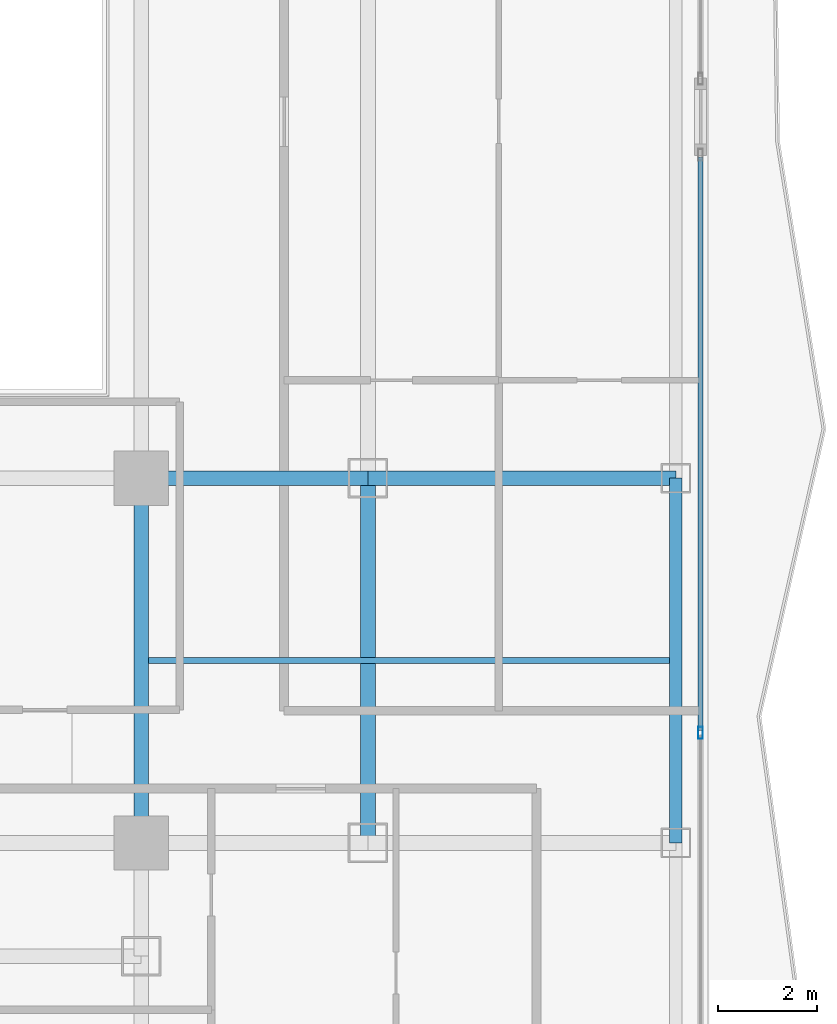
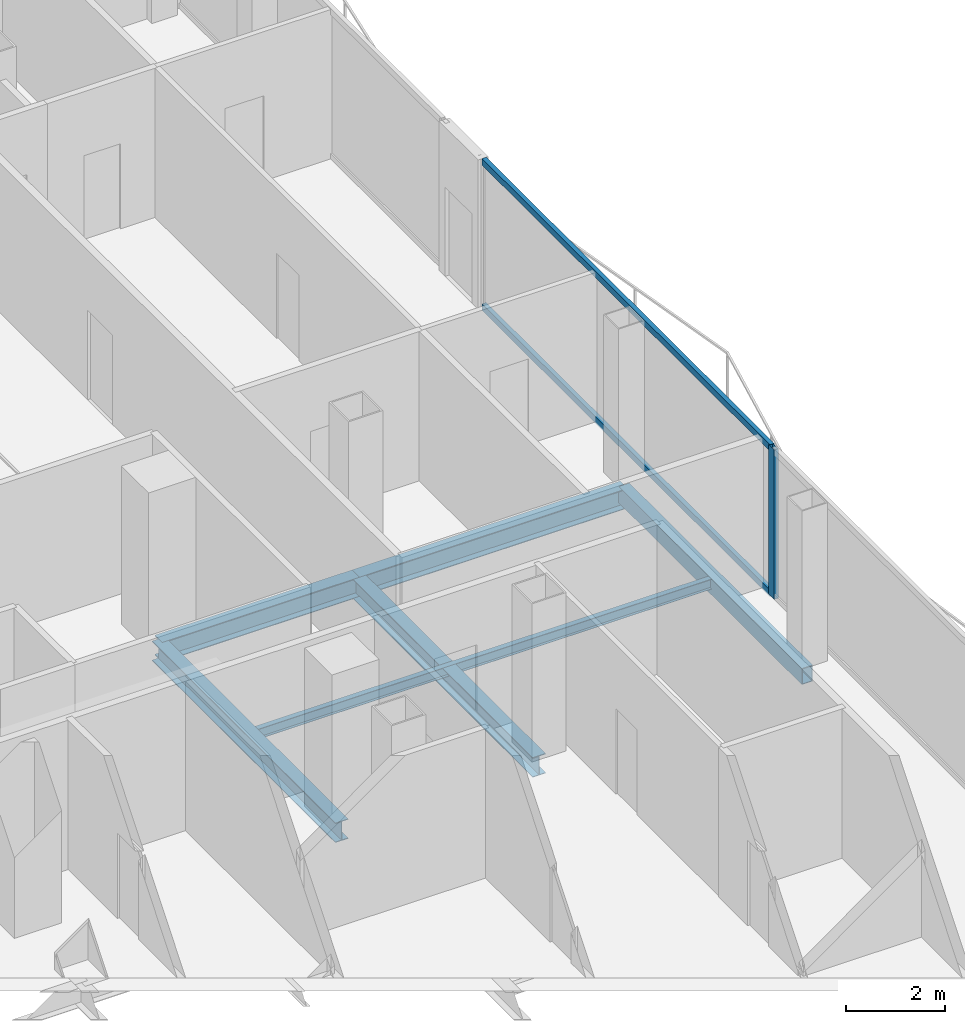
# One storey, part 11 of 26: 6 beams, 3 members, 1 element without a shape of its own.
"""IFC4 building model written with IfcOpenShell, lengths in metres."""

from ifc_helpers import new_model, si_unit, direction, frame, origin, origin_2d, place, context, subcontext, project, spatial, hollow_rectangle, i_section, extrude, material, layer, layer_set, material_profile, profile_set, type_object, element, aggregate, save


model = new_model("IFC4")

# Units and contexts
model_context = context("Model", 3, precision=1e-05, world=origin(), true_north=direction((0.0, 1.0)))
body_context = subcontext(model_context, "Body", "Model", "MODEL_VIEW")
ifc_project = project(units=[si_unit("LENGTHUNIT", "METRE"), si_unit("AREAUNIT", "SQUARE_METRE"), si_unit("VOLUMEUNIT", "CUBIC_METRE"), si_unit("PLANEANGLEUNIT", "RADIAN"), si_unit("MASSUNIT", "GRAM", prefix="KILO")], contexts=[model_context])

# Site, building, storey
site_placement = place(None, origin())
site = spatial("IfcSite", under=ifc_project, at=site_placement, CompositionType="ELEMENT")
building_placement = place(site_placement, origin())
building = spatial("IfcBuilding", under=site, at=building_placement, Name="Khorvyn Point Tower", CompositionType="ELEMENT")
storey_placement = place(building_placement, frame((0.0, 0.0, 223.5)))
storey = spatial("IfcBuildingStorey", under=building, at=storey_placement, Name="L55", CompositionType="ELEMENT", Elevation=223.5)

# Curtain wall, members
ifc_material_1 = material(Name="Anodised aluminium 6063-T6 and laminated Low-E glass", Category="aluminium")
ifc_layer = layer(ifc_material_1, 0.18994140625)
ifc_layer_set = layer_set([ifc_layer], Name="Stick-Built Acoustic Curtain Wall CW-SYS-03")
curtain_wall_type = type_object("IfcCurtainWallType", Name="Stick-Built Acoustic Curtain Wall CW-SYS-03", PredefinedType="NOTDEFINED", material=ifc_layer_set)
curtain_wall_placement = place(storey_placement, origin())
curtain_wall = element("IfcCurtainWall", 1, at=curtain_wall_placement, inside=storey, type_object=curtain_wall_type, Name="Curtain Wall", PredefinedType="NOTDEFINED")
ifc_material_2 = material(Name="Anodised aluminium 6063-T6", Category="aluminium")
ifc_material_profile_1 = material_profile(ifc_material_2, hollow_rectangle(XDim=0.10009765625, YDim=0.239990234375, WallThickness=0.0048828125, at=origin_2d()))
ifc_profile_set_1 = profile_set([ifc_material_profile_1], Name="Anodised aluminium 6063-T6 ALU-MUL-100x240")
member_type_1 = type_object("IfcMemberType", Name="Anodised Aluminium 6063-T6 Mullion ALU-MUL-100x240", PredefinedType="MULLION", material=ifc_profile_set_1)
member_1_placement = place(storey_placement, frame((26.14990234375, -12.5673828125, 0.0), z_axis=(0.0, 0.0, 1.0), x_axis=(1.0, 0.0, 0.0)))
member_1 = element("IfcMember", 2, at=member_1_placement, type_object=member_type_1, Name="Transom", PredefinedType="MULLION", context=body_context, shape_type="SweptSolid", body=[
    extrude(hollow_rectangle(XDim=0.10009765625, YDim=0.239990234375, WallThickness=0.0048828125, at=origin_2d()), origin(), (0.0, 0.0, 1.0), 3.679931640625),
])
ifc_material_profile_2 = material_profile(ifc_material_2, hollow_rectangle(XDim=0.10009765625, YDim=0.159912109375, WallThickness=0.00439453125, at=origin_2d()))
ifc_profile_set_2 = profile_set([ifc_material_profile_2], Name="Anodised aluminium 6063-T6 ALU-TRN-100x160")
member_type_2 = type_object("IfcMemberType", Name="Anodised Aluminium 6063-T6 Transom ALU-TRN-100x160", PredefinedType="USERDEFINED", material=ifc_profile_set_2)
member_2_placement = place(storey_placement, frame((26.14990234375, -0.885009765625, 0.050048828125), z_axis=(0.0, -1.0, 0.0), x_axis=(1.0, 0.0, 0.0)))
member_2 = element("IfcMember", 3, at=member_2_placement, type_object=member_type_2, Name="Transom", ObjectType="TRANSOM", PredefinedType="USERDEFINED", context=body_context, shape_type="SweptSolid", body=[
    extrude(hollow_rectangle(XDim=0.10009765625, YDim=0.159912109375, WallThickness=0.00439453125, at=origin_2d()), origin(), (0.0, 0.0, 1.0), 11.632568359375),
])
member_3_placement = place(storey_placement, frame((26.14990234375, -0.885009765625, 3.6298828125), z_axis=(0.0, -1.0, 0.0), x_axis=(1.0, 0.0, 0.0)))
member_3 = element("IfcMember", 4, at=member_3_placement, type_object=member_type_2, Name="Transom", ObjectType="TRANSOM", PredefinedType="USERDEFINED", context=body_context, shape_type="SweptSolid", body=[
    extrude(hollow_rectangle(XDim=0.10009765625, YDim=0.159912109375, WallThickness=0.00439453125, at=origin_2d()), origin(), (0.0, 0.0, 1.0), 11.632568359375),
])
aggregate(curtain_wall, [member_1, member_2, member_3])

# Beams
ifc_material_3 = material(Name="Steel S355", Category="steel")
ifc_material_profile_3 = material_profile(ifc_material_3, i_section(OverallWidth=0.125, OverallDepth=0.25, WebThickness=0.006103515625, FlangeThickness=0.009033203125, at=origin_2d()))
ifc_profile_set_3 = profile_set([ifc_material_profile_3], Name="Steel S355 H250x125x6x9")
beam_type_1 = type_object("IfcBeamType", Name="Steel S355 Joist H250x125x6x9", PredefinedType="JOIST", material=ifc_profile_set_3)
beam_1_placement = place(storey_placement, frame((14.949951171875, -11.10009765625, -0.344970703125), z_axis=(1.0, 0.0, 0.0), x_axis=(0.0, 1.0, 0.0)))
element("IfcBeam", 5, at=beam_1_placement, inside=storey, type_object=beam_type_1, Name="Beam", PredefinedType="JOIST", context=body_context, shape_type="SweptSolid", body=[
    extrude(i_section(OverallWidth=0.125, OverallDepth=0.25, WebThickness=0.006103515625, FlangeThickness=0.009033203125, at=origin_2d()), origin(), (0.0, 0.0, 1.0), 10.574951171875),
])
ifc_material_profile_4 = material_profile(ifc_material_3, i_section(OverallWidth=0.300048828125, OverallDepth=0.488037109375, WebThickness=0.010986328125, FlangeThickness=0.01806640625, at=origin_2d()))
ifc_profile_set_4 = profile_set([ifc_material_profile_4], Name="Steel S355 H488x300x11x18")
beam_type_2 = type_object("IfcBeamType", Name="Steel S355 Spandrel H488x300x11x18", PredefinedType="SPANDREL", material=ifc_profile_set_4)
beam_2_placement = place(storey_placement, frame((14.800048828125, -7.39990234375, -0.464111328125), z_axis=(1.0, 0.0, 0.0), x_axis=(0.0, 1.0, 0.0)))
element("IfcBeam", 6, at=beam_2_placement, inside=storey, type_object=beam_type_2, Name="Beam", PredefinedType="SPANDREL", context=body_context, shape_type="SweptSolid", body=[
    extrude(i_section(OverallWidth=0.300048828125, OverallDepth=0.488037109375, WebThickness=0.010986328125, FlangeThickness=0.01806640625, at=origin_2d()), origin(), (0.0, 0.0, 1.0), 4.599853515625),
])
beam_3_placement = place(storey_placement, frame((19.39990234375, -7.39990234375, -0.464111328125), z_axis=(1.0, 0.0, 0.0), x_axis=(0.0, 1.0, 0.0)))
element("IfcBeam", 7, at=beam_3_placement, inside=storey, type_object=beam_type_2, Name="Beam", PredefinedType="SPANDREL", context=body_context, shape_type="SweptSolid", body=[
    extrude(i_section(OverallWidth=0.300048828125, OverallDepth=0.488037109375, WebThickness=0.010986328125, FlangeThickness=0.01806640625, at=origin_2d()), origin(), (0.0, 0.0, 1.0), 6.25),
])
for number, where, z_axis, x_axis, name in (
    (8, (14.800048828125, -14.800048828125, -0.464111328125), (0.0, 1.0, 0.0), (-1.0, 0.0, 0.0), "Beam"),
    (9, (19.39990234375, -14.800048828125, -0.464111328125), (0.0, 1.0, 0.0), (-1.0, 0.0, 0.0), "Beam"),
):
    element("IfcBeam", number, at=place(storey_placement, frame(where, z_axis=z_axis, x_axis=x_axis)), inside=storey, type_object=beam_type_2, Name=name, PredefinedType="SPANDREL", context=body_context, shape_type="SweptSolid", body=[
        extrude(i_section(OverallWidth=0.300048828125, OverallDepth=0.488037109375, WebThickness=0.010986328125, FlangeThickness=0.01806640625, at=origin_2d()), origin(), (0.0, 0.0, 1.0), 7.400146484375),
    ])
ifc_material_profile_5 = material_profile(ifc_material_3, hollow_rectangle(XDim=0.25, YDim=0.39990234375, WallThickness=0.01611328125, at=origin_2d()))
ifc_profile_set_5 = profile_set([ifc_material_profile_5], Name="Steel S355 RHS400x250x16")
beam_type_3 = type_object("IfcBeamType", Name="Steel S355 Spandrel RHS400x250x16", PredefinedType="SPANDREL", material=ifc_profile_set_5)
beam_4_placement = place(storey_placement, frame((25.64990234375, -14.800048828125, -0.419921875), z_axis=(0.0, 1.0, 0.0), x_axis=(-1.0, 0.0, 0.0)))
element("IfcBeam", 10, at=beam_4_placement, inside=storey, type_object=beam_type_3, Name="Beam", PredefinedType="SPANDREL", context=body_context, shape_type="SweptSolid", body=[
    extrude(hollow_rectangle(XDim=0.25, YDim=0.39990234375, WallThickness=0.01611328125, at=origin_2d()), origin(), (0.0, 0.0, 1.0), 7.400146484375),
])

save(model, "model.ifc")
